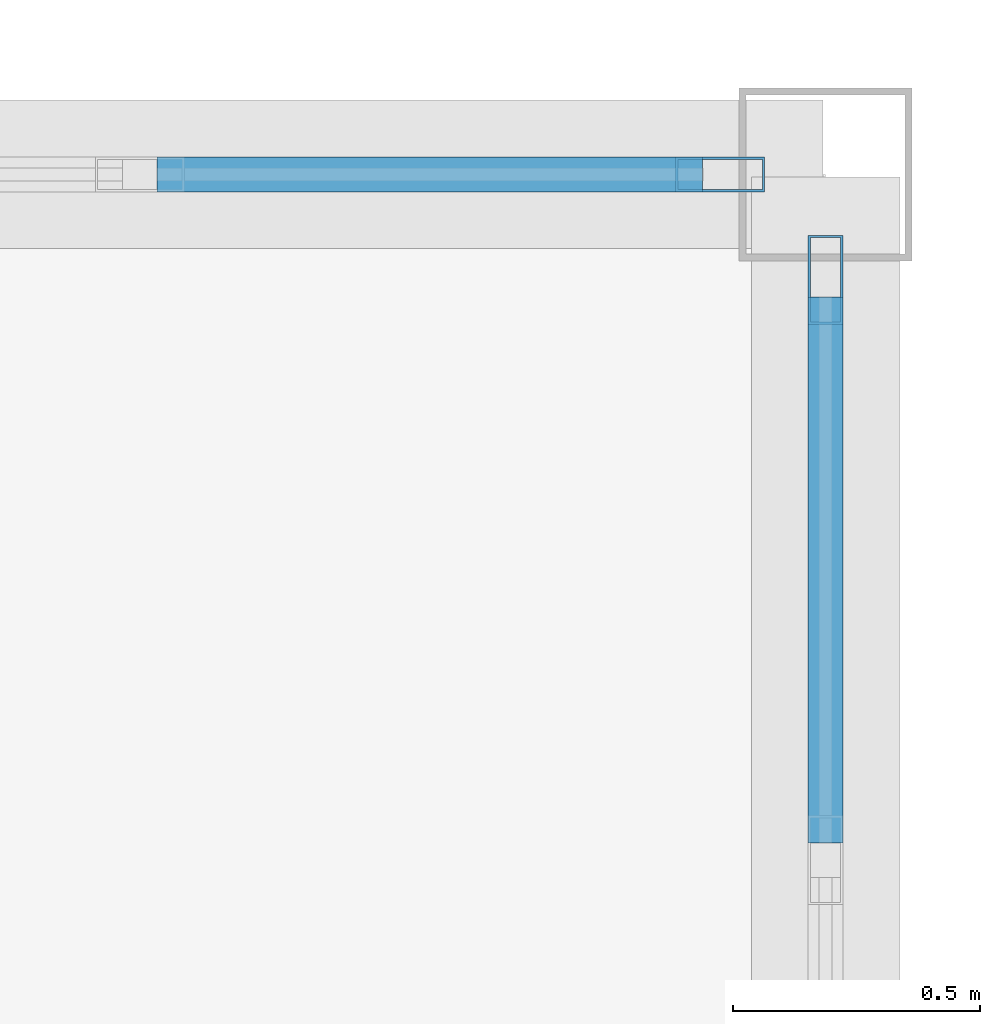
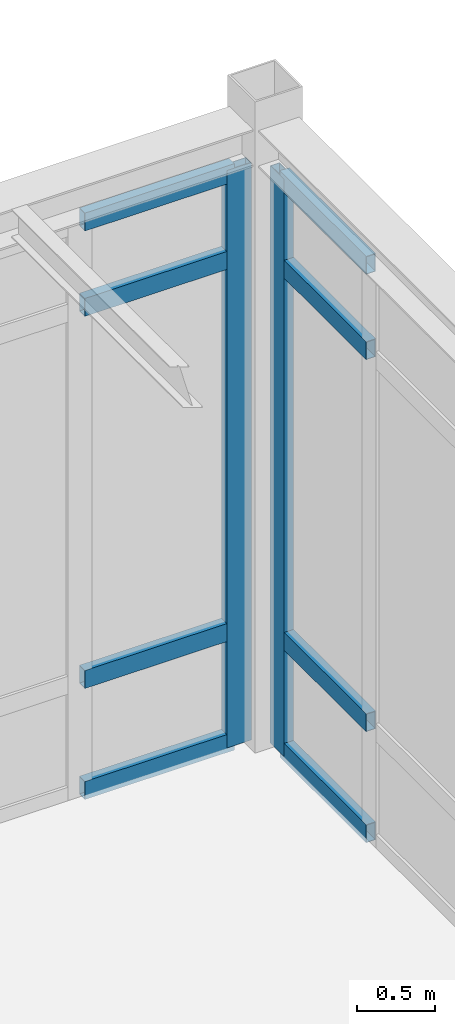
# One storey, part 55 of 109: 10 members, 2 elements without a shape of their own.
"""IFC4 building model written with IfcOpenShell, lengths in metres."""

import ifcopenshell
import ifcopenshell.guid

model = None  # the IFC model being written
_history = None  # IfcOwnerHistory: only IFC2X3 demands one
_inside = {}  # id of a spatial element -> (the spatial element, [elements in it])
_under = {}  # id of a project, library or spatial element -> (it, [spatial elements below it])
_declared = {}  # id of a project -> (the project, [libraries it declares])
_typed = {}  # id of a type object -> (the type object, [elements of that type])
_made_of = {}  # id of a material, layer set ... -> (it, [elements and type objects made of it])


def new_model(schema):
    """Start an empty IFC model of exactly this schema.

    Asked for "IFC4X3", IfcOpenShell would pick the latest addendum, in which some entities
    have other attributes; the version numbers below select the first issue.
    IFC2X3 requires an IfcOwnerHistory on every rooted entity: one is made here for all.
    """
    global model, _history
    if schema == "IFC4X3":
        model = ifcopenshell.file(schema_version=(4, 3, 0, 0))
    else:
        model = ifcopenshell.file(schema=schema)
    _inside.clear()
    _under.clear()
    _declared.clear()
    _typed.clear()
    _made_of.clear()
    _history = None
    if model.schema == "IFC2X3":
        org = make("IfcOrganization", Name="unknown")
        user = make(
            "IfcPersonAndOrganization",
            ThePerson=make("IfcPerson", FamilyName="unknown"),
            TheOrganization=org,
        )
        app = make(
            "IfcApplication",
            ApplicationDeveloper=org,
            Version="unknown",
            ApplicationFullName="unknown",
            ApplicationIdentifier="unknown",
        )
        _history = make(
            "IfcOwnerHistory",
            OwningUser=user,
            OwningApplication=app,
            ChangeAction="ADDED",
            CreationDate=0,
        )
    return model


def make(cls, **values):
    """One entity of the class cls with the attributes given. An attribute that is None is left unset."""
    return model.create_entity(
        cls, **{name: value for name, value in values.items() if value is not None}
    )


def rooted(cls, **values):
    """An entity with a GlobalId (a new one), such as an element, a storey or a relation."""
    return make(cls, GlobalId=ifcopenshell.guid.new(), OwnerHistory=_history, **values)


def si_unit(unit_type, name, prefix=None):
    """IfcSIUnit, for example si_unit("LENGTHUNIT", "METRE", prefix="MILLI")."""
    return make("IfcSIUnit", UnitType=unit_type, Prefix=prefix, Name=name)


def assignment(units):
    """IfcUnitAssignment: the units of a project."""
    return None if units is None else make("IfcUnitAssignment", Units=units)


def point(xyz):
    """IfcCartesianPoint."""
    return None if xyz is None else make("IfcCartesianPoint", Coordinates=xyz)


def direction(xyz):
    """IfcDirection."""
    return None if xyz is None else make("IfcDirection", DirectionRatios=xyz)


def frame(location, z_axis=None, x_axis=None):
    """IfcAxis2Placement3D, a coordinate frame: its origin and axes. An axis left out is left unset."""
    return make(
        "IfcAxis2Placement3D",
        Location=point(location),
        Axis=direction(z_axis),
        RefDirection=direction(x_axis),
    )


def frame_2d(location, x_axis=None):
    """IfcAxis2Placement2D, a coordinate frame in the plane: its origin and x axis."""
    return make(
        "IfcAxis2Placement2D", Location=point(location), RefDirection=direction(x_axis)
    )


def origin():
    """The frame at (0, 0, 0) with its axes left unset."""
    return frame((0.0, 0.0, 0.0))


def origin_2d():
    """The frame at (0, 0) in the plane with its x axis left unset."""
    return frame_2d((0.0, 0.0))


def place(relative_to, where):
    """IfcLocalPlacement: puts the frame where relative to a parent placement (None: the world)."""
    return make(
        "IfcLocalPlacement", PlacementRelTo=relative_to, RelativePlacement=where
    )


def context(
    kind, dimensions, precision=None, world=None, true_north=None, identifier=None
):
    """IfcGeometricRepresentationContext, for example the 3D "Model" context."""
    return make(
        "IfcGeometricRepresentationContext",
        ContextIdentifier=identifier,
        ContextType=kind,
        CoordinateSpaceDimension=dimensions,
        Precision=precision,
        WorldCoordinateSystem=world,
        TrueNorth=true_north,
    )


def subcontext(parent, identifier, kind, view, scale=None):
    """IfcGeometricRepresentationSubContext, for example "Body" below "Model"."""
    return make(
        "IfcGeometricRepresentationSubContext",
        ContextIdentifier=identifier,
        ContextType=kind,
        ParentContext=parent,
        TargetScale=scale,
        TargetView=view,
    )


def project(units=None, contexts=None):
    """IfcProject with its units and contexts."""
    return rooted(
        "IfcProject",
        Name="project",
        RepresentationContexts=contexts,
        UnitsInContext=assignment(units),
    )


def spatial(cls, under=None, at=None, **own):
    """A site, building, storey or space (cls), placed at a placement, below another one or the project."""
    s = rooted(cls, ObjectPlacement=at, **own)
    if under is not None:
        _under.setdefault(under.id(), (under, []))[1].append(s)
    return s


def profile(cls, at=None, kind="AREA", **sizes):
    """A parametric profile (cls). Its sizes go by their IFC names, for example OverallWidth=200.0."""
    return make(cls, ProfileType=kind, Position=at, **sizes)


def hollow_rectangle(**sizes):
    """IfcRectangleHollowProfileDef."""
    return profile("IfcRectangleHollowProfileDef", **sizes)


def extrude(swept, where, along, depth):
    """IfcExtrudedAreaSolid: the profile swept, set in the frame where, extruded along a direction by depth."""
    return make(
        "IfcExtrudedAreaSolid",
        SweptArea=swept,
        Position=where,
        ExtrudedDirection=direction(along),
        Depth=depth,
    )


def shape(context_of_items, identifier, shape_type, items):
    """IfcShapeRepresentation: the items that make up one representation, for example the "Body"."""
    return make(
        "IfcShapeRepresentation",
        ContextOfItems=context_of_items,
        RepresentationIdentifier=identifier,
        RepresentationType=shape_type,
        Items=items,
    )


def material(Name=None, Category=None):
    """IfcMaterial."""
    return make("IfcMaterial", Name=Name, Category=Category)


def layer(
    of_material, thickness, ventilated=None, Name=None, Category=None, Priority=None
):
    """IfcMaterialLayer: one layer of a wall or slab, of a material (None: an air gap)."""
    return make(
        "IfcMaterialLayer",
        Material=of_material,
        LayerThickness=thickness,
        IsVentilated=ventilated,
        Name=Name,
        Category=Category,
        Priority=Priority,
    )


def layer_set(layers, Name=None):
    """IfcMaterialLayerSet."""
    return make("IfcMaterialLayerSet", MaterialLayers=layers, LayerSetName=Name)


def material_profile(
    of_material, cross_section, Name=None, Category=None, Priority=None
):
    """IfcMaterialProfile: a cross section and its material."""
    return make(
        "IfcMaterialProfile",
        Name=Name,
        Material=of_material,
        Profile=cross_section,
        Priority=Priority,
        Category=Category,
    )


def profile_set(profiles, Name=None, composite=None):
    """IfcMaterialProfileSet."""
    return make(
        "IfcMaterialProfileSet",
        Name=Name,
        MaterialProfiles=profiles,
        CompositeProfile=composite,
    )


def made_of(thing, what):
    """Note that an element or type object is made of a material, layer set ...; save() writes the relation."""
    if what is not None:
        _made_of.setdefault(what.id(), (what, []))[1].append(thing)
    return thing


def type_object(cls, material=None, **own):
    """A type object (cls), such as IfcWallType, which elements share."""
    return made_of(rooted(cls, **own), material)


def element(
    cls,
    number,
    at=None,
    inside=None,
    cuts=None,
    type_object=None,
    material=None,
    context=None,
    identifier="Body",
    shape_type=None,
    held_by="IfcProductDefinitionShape",
    body=None,
    shapes=None,
    **own,
):
    """One element of the class cls, such as IfcWall. Its Tag is "e" and its number.

    at: its placement. inside: the storey or other place that contains it. cuts: it is an
    opening in that element (IfcRelVoidsElement). A single representation is given by context,
    identifier, shape_type and body (its items); several are given by shapes. held_by: the class
    of the entity that holds the representations. save() writes the other relations.
    """
    e = rooted(cls, Tag="e%d" % number, ObjectPlacement=at, **own)
    if body is not None:
        shapes = [shape(context, identifier, shape_type, body)]
    if shapes is not None:
        e.Representation = make(held_by, Representations=shapes)
    if inside is not None:
        _inside.setdefault(inside.id(), (inside, []))[1].append(e)
    if cuts is not None:
        rooted(
            "IfcRelVoidsElement", RelatingBuildingElement=cuts, RelatedOpeningElement=e
        )
    if type_object is not None:
        _typed.setdefault(type_object.id(), (type_object, []))[1].append(e)
    return made_of(e, material)


def aggregate(whole, parts):
    """IfcRelAggregates: a whole, such as a stair, and the parts it consists of."""
    return rooted("IfcRelAggregates", RelatingObject=whole, RelatedObjects=parts)


def save(model, path):
    """Write the relations noted so far, then the file.

    IfcRelAggregates (storeys below a building ...), IfcRelContainedInSpatialStructure (elements
    in a storey), IfcRelDefinesByType, IfcRelAssociatesMaterial and IfcRelDeclares: one each for
    every whole, place, type object, material and project.
    """
    for whole, parts in _under.values():
        aggregate(whole, parts)
    for where, things in _inside.values():
        rooted(
            "IfcRelContainedInSpatialStructure",
            RelatedElements=things,
            RelatingStructure=where,
        )
    for kind, things in _typed.values():
        rooted("IfcRelDefinesByType", RelatedObjects=things, RelatingType=kind)
    for what, things in _made_of.values():
        rooted("IfcRelAssociatesMaterial", RelatedObjects=things, RelatingMaterial=what)
    for by, libraries in _declared.values():
        rooted("IfcRelDeclares", RelatingContext=by, RelatedDefinitions=libraries)
    model.write(path)


model = new_model("IFC4")

# Units and contexts
model_context = context("Model", 3, precision=1e-05, world=origin(), true_north=direction((0.0, 1.0)))
body_context = subcontext(model_context, "Body", "Model", "MODEL_VIEW")
ifc_project = project(units=[si_unit("LENGTHUNIT", "METRE"), si_unit("AREAUNIT", "SQUARE_METRE"), si_unit("VOLUMEUNIT", "CUBIC_METRE"), si_unit("PLANEANGLEUNIT", "RADIAN"), si_unit("MASSUNIT", "GRAM", prefix="KILO")], contexts=[model_context])

# Site, building, storey
site_placement = place(None, origin())
site = spatial("IfcSite", under=ifc_project, at=site_placement, CompositionType="ELEMENT")
building_placement = place(site_placement, origin())
building = spatial("IfcBuilding", under=site, at=building_placement, Name="Montecoro Central Library", CompositionType="ELEMENT")
storey_placement = place(building_placement, origin())
storey = spatial("IfcBuildingStorey", under=building, at=storey_placement, Name="L00", CompositionType="ELEMENT", Elevation=0.0)

# Curtain wall, member
ifc_material_1 = material(Name="Bronze-anodised aluminium and low-E glazing", Category="aluminium")
ifc_layer_1 = layer(ifc_material_1, 0.159912109375)
ifc_layer_set_1 = layer_set([ifc_layer_1], Name="Bronze-anodised aluminium and low-E glazing")
curtain_wall_type_1 = type_object("IfcCurtainWallType", Name="CWT-039", PredefinedType="NOTDEFINED", material=ifc_layer_set_1)
curtain_wall_1_placement = place(storey_placement, origin())
curtain_wall_1 = element("IfcCurtainWall", 1, at=curtain_wall_1_placement, inside=storey, type_object=curtain_wall_type_1, Name="V4-L00-CW-E4", PredefinedType="NOTDEFINED")
ifc_material_2 = material(Name="Bronze-anodised aluminium", Category="aluminium")
ifc_material_profile_1 = material_profile(ifc_material_2, hollow_rectangle(XDim=0.070068359375, YDim=0.179931640625, WallThickness=0.0048828125, at=origin_2d()), Name="CWM 180x70x5.0")
ifc_profile_set_1 = profile_set([ifc_material_profile_1], Name="Bronze-anodised aluminium")
member_type_1 = type_object("IfcMemberType", Name="CWM-BRZ-70", PredefinedType="MULLION", material=ifc_profile_set_1)
member_1_placement = place(storey_placement, frame((43.0, 111.18701171875, 0.0), z_axis=(0.0, 0.0, 1.0), x_axis=(-1.0, 0.0, 0.0)))
member_1 = element("IfcMember", 2, at=member_1_placement, type_object=member_type_1, Name="CW-039 mullion 7", PredefinedType="MULLION", context=body_context, shape_type="SweptSolid", body=[
    extrude(hollow_rectangle(XDim=0.070068359375, YDim=0.179931640625, WallThickness=0.0048828125, at=origin_2d()), origin(), (0.0, 0.0, 1.0), 4.5),
])

ifc_layer_2 = layer(ifc_material_1, 0.159912109375)
ifc_layer_set_2 = layer_set([ifc_layer_2], Name="Bronze-anodised aluminium and low-E glazing")
curtain_wall_type_2 = type_object("IfcCurtainWallType", Name="CWT-040", PredefinedType="NOTDEFINED", material=ifc_layer_set_2)
curtain_wall_2_placement = place(storey_placement, origin())
curtain_wall_2 = element("IfcCurtainWall", 3, at=curtain_wall_2_placement, inside=storey, type_object=curtain_wall_type_2, Name="V4-L00-CW-N4", PredefinedType="NOTDEFINED")
member_2_placement = place(storey_placement, frame((42.787109375, 111.39990234375, 0.0), z_axis=(0.0, 0.0, 1.0), x_axis=(0.0, -1.0, 0.0)))
member_2 = element("IfcMember", 4, at=member_2_placement, type_object=member_type_1, Name="CW-040 mullion 1", PredefinedType="MULLION", context=body_context, shape_type="SweptSolid", body=[
    extrude(hollow_rectangle(XDim=0.070068359375, YDim=0.179931640625, WallThickness=0.0048828125, at=origin_2d()), origin(), (0.0, 0.0, 1.0), 4.5),
])

# Member
ifc_material_profile_2 = material_profile(ifc_material_2, hollow_rectangle(XDim=0.070068359375, YDim=0.139892578125, WallThickness=0.00390625, at=origin_2d()), Name="CWT 140x70x4.0")
ifc_profile_set_2 = profile_set([ifc_material_profile_2], Name="Bronze-anodised aluminium")
member_type_2 = type_object("IfcMemberType", Name="CWT-BRZ-70", PredefinedType="USERDEFINED", material=ifc_profile_set_2)
member_3_placement = place(storey_placement, frame((43.0, 110.049560546875, 0.034912109375), z_axis=(0.0, 1.0, 0.0), x_axis=(-1.0, 0.0, 0.0)))
member_3 = element("IfcMember", 5, at=member_3_placement, type_object=member_type_2, Name="CW-039 transom 6.1", ObjectType="TRANSOM", PredefinedType="USERDEFINED", context=body_context, shape_type="SweptSolid", body=[
    extrude(hollow_rectangle(XDim=0.070068359375, YDim=0.139892578125, WallThickness=0.00390625, at=origin_2d()), origin(), (0.0, 0.0, 1.0), 1.1025390625),
])

member_4_placement = place(storey_placement, frame((43.0, 110.049560546875, 0.89990234375), z_axis=(0.0, 1.0, 0.0), x_axis=(-1.0, 0.0, 0.0)))
member_4 = element("IfcMember", 6, at=member_4_placement, type_object=member_type_2, Name="CW-039 transom 6.2", ObjectType="TRANSOM", PredefinedType="USERDEFINED", context=body_context, shape_type="SweptSolid", body=[
    extrude(hollow_rectangle(XDim=0.070068359375, YDim=0.139892578125, WallThickness=0.00390625, at=origin_2d()), origin(), (0.0, 0.0, 1.0), 1.1025390625),
])

member_5_placement = place(storey_placement, frame((43.0, 110.049560546875, 3.800048828125), z_axis=(0.0, 1.0, 0.0), x_axis=(-1.0, 0.0, 0.0)))
member_5 = element("IfcMember", 7, at=member_5_placement, type_object=member_type_2, Name="CW-039 transom 6.3", ObjectType="TRANSOM", PredefinedType="USERDEFINED", context=body_context, shape_type="SweptSolid", body=[
    extrude(hollow_rectangle(XDim=0.070068359375, YDim=0.139892578125, WallThickness=0.00390625, at=origin_2d()), origin(), (0.0, 0.0, 1.0), 1.1025390625),
])

member_6_placement = place(storey_placement, frame((43.0, 110.049560546875, 4.465087890625), z_axis=(0.0, 1.0, 0.0), x_axis=(-1.0, 0.0, 0.0)))
member_6 = element("IfcMember", 8, at=member_6_placement, type_object=member_type_2, Name="CW-039 transom 6.4", ObjectType="TRANSOM", PredefinedType="USERDEFINED", context=body_context, shape_type="SweptSolid", body=[
    extrude(hollow_rectangle(XDim=0.070068359375, YDim=0.139892578125, WallThickness=0.00390625, at=origin_2d()), origin(), (0.0, 0.0, 1.0), 1.1025390625),
])

aggregate(curtain_wall_1, [member_1, member_3, member_4, member_5, member_6])

member_7_placement = place(storey_placement, frame((42.751953125, 111.39990234375, 0.034912109375), z_axis=(-1.0, 0.0, 0.0), x_axis=(0.0, -1.0, 0.0)))
member_7 = element("IfcMember", 9, at=member_7_placement, type_object=member_type_2, Name="CW-040 transom 1.1", ObjectType="TRANSOM", PredefinedType="USERDEFINED", context=body_context, shape_type="SweptSolid", body=[
    extrude(hollow_rectangle(XDim=0.070068359375, YDim=0.139892578125, WallThickness=0.00390625, at=origin_2d()), origin(), (0.0, 0.0, 1.0), 1.102294921875),
])

member_8_placement = place(storey_placement, frame((42.751953125, 111.39990234375, 0.89990234375), z_axis=(-1.0, 0.0, 0.0), x_axis=(0.0, -1.0, 0.0)))
member_8 = element("IfcMember", 10, at=member_8_placement, type_object=member_type_2, Name="CW-040 transom 1.2", ObjectType="TRANSOM", PredefinedType="USERDEFINED", context=body_context, shape_type="SweptSolid", body=[
    extrude(hollow_rectangle(XDim=0.070068359375, YDim=0.139892578125, WallThickness=0.00390625, at=origin_2d()), origin(), (0.0, 0.0, 1.0), 1.102294921875),
])

member_9_placement = place(storey_placement, frame((42.751953125, 111.39990234375, 3.800048828125), z_axis=(-1.0, 0.0, 0.0), x_axis=(0.0, -1.0, 0.0)))
member_9 = element("IfcMember", 11, at=member_9_placement, type_object=member_type_2, Name="CW-040 transom 1.3", ObjectType="TRANSOM", PredefinedType="USERDEFINED", context=body_context, shape_type="SweptSolid", body=[
    extrude(hollow_rectangle(XDim=0.070068359375, YDim=0.139892578125, WallThickness=0.00390625, at=origin_2d()), origin(), (0.0, 0.0, 1.0), 1.102294921875),
])

member_10_placement = place(storey_placement, frame((42.751953125, 111.39990234375, 4.465087890625), z_axis=(-1.0, 0.0, 0.0), x_axis=(0.0, -1.0, 0.0)))
member_10 = element("IfcMember", 12, at=member_10_placement, type_object=member_type_2, Name="CW-040 transom 1.4", ObjectType="TRANSOM", PredefinedType="USERDEFINED", context=body_context, shape_type="SweptSolid", body=[
    extrude(hollow_rectangle(XDim=0.070068359375, YDim=0.139892578125, WallThickness=0.00390625, at=origin_2d()), origin(), (0.0, 0.0, 1.0), 1.102294921875),
])

aggregate(curtain_wall_2, [member_2, member_7, member_8, member_9, member_10])

save(model, "model.ifc")
